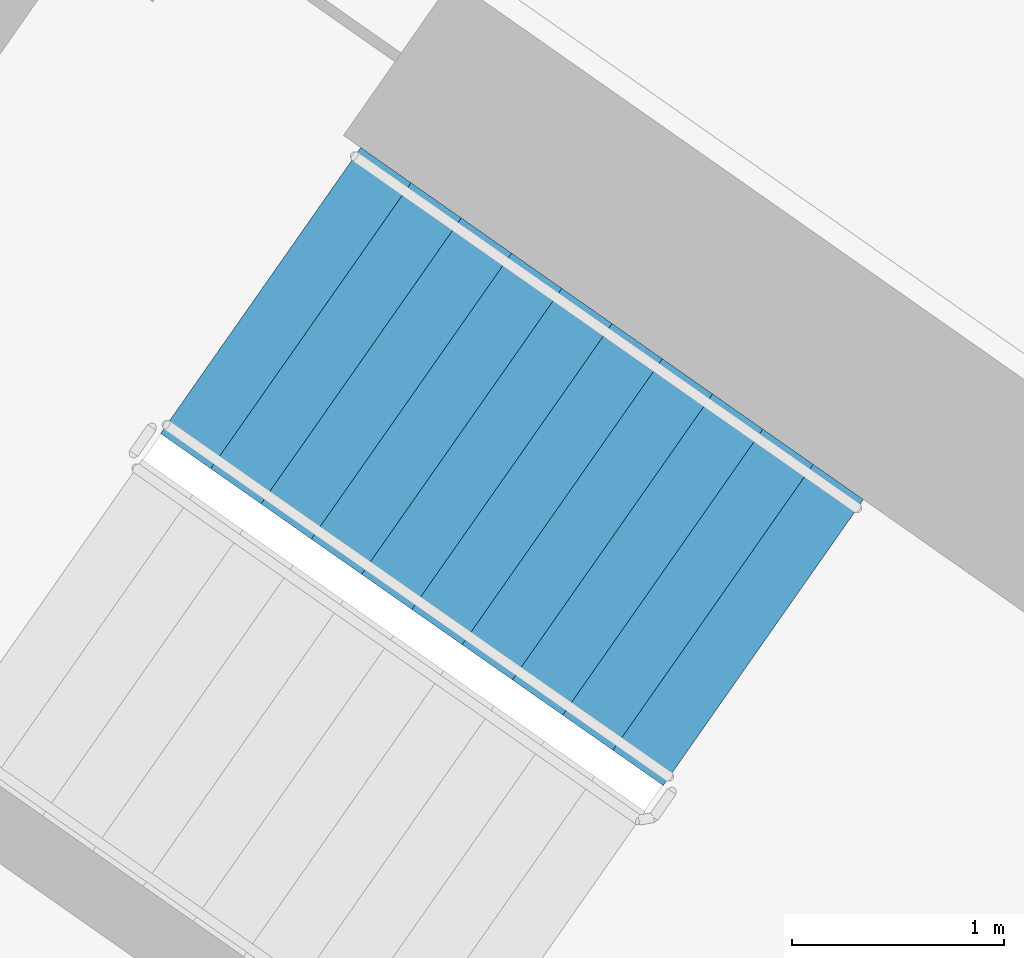
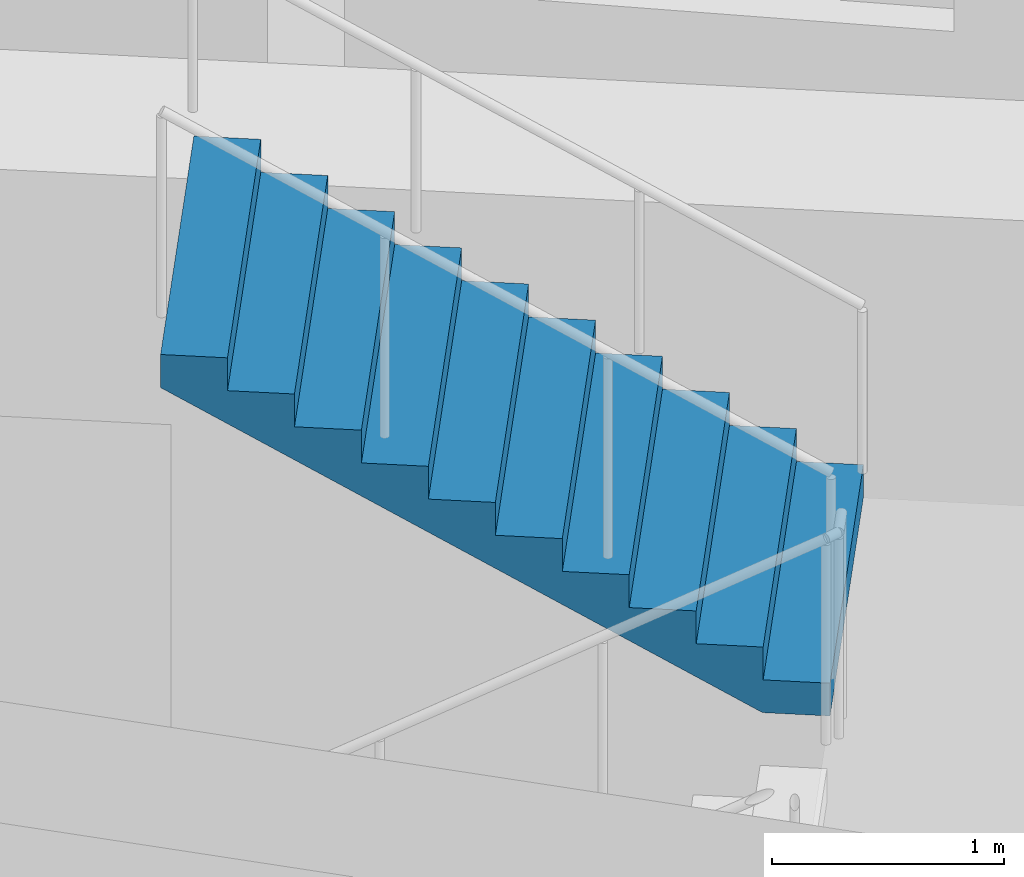
# One storey, part 13 of 31: 1 stair flight, 1 element without a shape of its own.
"""IFC4 building model written with IfcOpenShell, lengths in metres."""

from ifc_helpers import new_model, si_unit, direction, frame, origin, place, context, subcontext, project, spatial, faceted_brep, material, type_object, element, aggregate, save


model = new_model("IFC4")

# Units and contexts
model_context = context("Model", 3, precision=1e-05, world=origin(), true_north=direction((0.0, 1.0)))
body_context = subcontext(model_context, "Body", "Model", "MODEL_VIEW")
ifc_project = project(units=[si_unit("LENGTHUNIT", "METRE"), si_unit("AREAUNIT", "SQUARE_METRE"), si_unit("VOLUMEUNIT", "CUBIC_METRE"), si_unit("PLANEANGLEUNIT", "RADIAN"), si_unit("MASSUNIT", "GRAM", prefix="KILO")], contexts=[model_context])

# Site, building, storey
site_placement = place(None, origin())
site = spatial("IfcSite", under=ifc_project, at=site_placement, CompositionType="ELEMENT")
building_placement = place(site_placement, origin())
building = spatial("IfcBuilding", under=site, at=building_placement, Name="Qamariyya Broadcast Tower", CompositionType="ELEMENT")
storey_placement = place(building_placement, frame((0.0, 0.0, 86.10009765625)))
storey = spatial("IfcBuildingStorey", under=building, at=storey_placement, Name="L18", CompositionType="ELEMENT", Elevation=86.10009765625)

# Stair, stair flight
ifc_material = material(Name="Concrete C50/60", Category="concrete")
stair_type = type_object("IfcStairType", Name="Exit stair 22 risers of 173 mm", PredefinedType="HALF_TURN_STAIR", material=ifc_material)
stair_placement = place(storey_placement, origin())
stair = element("IfcStair", 1, at=stair_placement, inside=storey, type_object=stair_type, Name="L18 Stair W2", PredefinedType="HALF_TURN_STAIR")
stair_flight_type = type_object("IfcStairFlightType", Name="Exit stair flight 11 risers of 173 mm", PredefinedType="STRAIGHT", material=ifc_material)
stair_flight_placement = place(storey_placement, frame((-38.18310546875, -49.3486328125, 1.89990234375), z_axis=(0.0, 0.0, 1.0), x_axis=(-0.819152044289, 0.573576436351, 0.0)))
stair_flight = element("IfcStairFlight", 2, at=stair_flight_placement, type_object=stair_flight_type, Name="ST-W2 flight 2", NumberOfRisers=11, NumberOfTreads=10, PredefinedType="STRAIGHT", RiserHeight=0.172727273, TreadLength=0.29, context=body_context, shape_type="Brep", body=[
    faceted_brep([(0.0, 0.824951171875, 0.0), (0.0, 0.824951171875, 0.172607421875), (0.2900390625, 0.824951171875, 0.172607421875), (0.2900390625, 0.824951171875, 0.345458984375), (0.580078125, 0.824951171875, 0.345458984375), (0.580078125, 0.824951171875, 0.51806640625), (0.8701171875, 0.824951171875, 0.51806640625), (0.8701171875, 0.824951171875, 0.69091796875), (1.159912109375, 0.824951171875, 0.69091796875), (1.159912109375, 0.824951171875, 0.863525390625), (1.449951171875, 0.824951171875, 0.863525390625), (1.449951171875, 0.824951171875, 1.036376953125), (1.739990234375, 0.824951171875, 1.036376953125), (1.739990234375, 0.824951171875, 1.208984375), (2.030029296875, 0.824951171875, 1.208984375), (2.030029296875, 0.824951171875, 1.3818359375), (2.320068359375, 0.824951171875, 1.3818359375), (2.320068359375, 0.824951171875, 1.554443359375), (2.610107421875, 0.824951171875, 1.554443359375), (2.610107421875, 0.824951171875, 1.727294921875), (2.89990234375, 0.824951171875, 1.727294921875), (2.89990234375, 0.824951171875, 1.552734375), (0.29296875, 0.824951171875, 0.0), (0.29296875, -0.824951171875, 0.0), (2.89990234375, -0.824951171875, 1.552734375), (2.89990234375, -0.824951171875, 1.727294921875), (2.610107421875, -0.824951171875, 1.727294921875), (2.610107421875, -0.824951171875, 1.554443359375), (2.320068359375, -0.824951171875, 1.554443359375), (2.320068359375, -0.824951171875, 1.3818359375), (2.030029296875, -0.824951171875, 1.3818359375), (2.030029296875, -0.824951171875, 1.208984375), (1.739990234375, -0.824951171875, 1.208984375), (1.739990234375, -0.824951171875, 1.036376953125), (1.449951171875, -0.824951171875, 1.036376953125), (1.449951171875, -0.824951171875, 0.863525390625), (1.159912109375, -0.824951171875, 0.863525390625), (1.159912109375, -0.824951171875, 0.69091796875), (0.8701171875, -0.824951171875, 0.69091796875), (0.8701171875, -0.824951171875, 0.51806640625), (0.580078125, -0.824951171875, 0.51806640625), (0.580078125, -0.824951171875, 0.345458984375), (0.2900390625, -0.824951171875, 0.345458984375), (0.2900390625, -0.824951171875, 0.172607421875), (0.0, -0.824951171875, 0.172607421875), (0.0, -0.824951171875, 0.0), (0.0, 0.10009765625, 0.0), (0.0, 0.086669921875, 0.0), (0.0, 0.0732421875, 0.0), (0.0, 0.06005859375, 0.0), (0.0, 0.046630859375, 0.0), (0.0, 0.033447265625, 0.0), (0.0, 0.02001953125, 0.0), (0.0, 0.006591796875, 0.0), (0.0, -0.006591796875, 0.0), (0.0, -0.02001953125, 0.0), (0.0, -0.033447265625, 0.0), (0.0, -0.046630859375, 0.0), (0.0, -0.06005859375, 0.0), (0.0, -0.0732421875, 0.0), (0.0, -0.086669921875, 0.0), (0.0, -0.10009765625, 0.0), (0.0, -0.10009765625, 0.172607421875), (0.0, -0.086669921875, 0.172607421875), (0.0, -0.0732421875, 0.172607421875), (0.0, -0.06005859375, 0.172607421875), (0.0, -0.046630859375, 0.172607421875), (0.0, -0.033447265625, 0.172607421875), (0.0, -0.02001953125, 0.172607421875), (0.0, -0.006591796875, 0.172607421875), (0.0, 0.006591796875, 0.172607421875), (0.0, 0.02001953125, 0.172607421875), (0.0, 0.033447265625, 0.172607421875), (0.0, 0.046630859375, 0.172607421875), (0.0, 0.06005859375, 0.172607421875), (0.0, 0.0732421875, 0.172607421875), (0.0, 0.086669921875, 0.172607421875), (0.0, 0.10009765625, 0.172607421875), (0.2900390625, -0.10009765625, 0.172607421875), (0.2900390625, -0.086669921875, 0.172607421875), (0.2900390625, -0.0732421875, 0.172607421875), (0.2900390625, -0.06005859375, 0.172607421875), (0.2900390625, -0.046630859375, 0.172607421875), (0.2900390625, -0.033447265625, 0.172607421875), (0.2900390625, -0.02001953125, 0.172607421875), (0.2900390625, -0.006591796875, 0.172607421875), (0.2900390625, 0.006591796875, 0.172607421875), (0.2900390625, 0.02001953125, 0.172607421875), (0.2900390625, 0.033447265625, 0.172607421875), (0.2900390625, 0.046630859375, 0.172607421875), (0.2900390625, 0.06005859375, 0.172607421875), (0.2900390625, 0.0732421875, 0.172607421875), (0.2900390625, 0.086669921875, 0.172607421875), (0.2900390625, 0.10009765625, 0.172607421875), (0.2900390625, -0.10009765625, 0.345458984375), (0.2900390625, -0.086669921875, 0.345458984375), (0.2900390625, -0.0732421875, 0.345458984375), (0.2900390625, -0.06005859375, 0.345458984375), (0.2900390625, -0.046630859375, 0.345458984375), (0.2900390625, -0.033447265625, 0.345458984375), (0.2900390625, -0.02001953125, 0.345458984375), (0.2900390625, -0.006591796875, 0.345458984375), (0.2900390625, 0.006591796875, 0.345458984375), (0.2900390625, 0.02001953125, 0.345458984375), (0.2900390625, 0.033447265625, 0.345458984375), (0.2900390625, 0.046630859375, 0.345458984375), (0.2900390625, 0.06005859375, 0.345458984375), (0.2900390625, 0.0732421875, 0.345458984375), (0.2900390625, 0.086669921875, 0.345458984375), (0.2900390625, 0.10009765625, 0.345458984375), (0.580078125, -0.10009765625, 0.345458984375), (0.580078125, -0.086669921875, 0.345458984375), (0.580078125, -0.0732421875, 0.345458984375), (0.580078125, -0.06005859375, 0.345458984375), (0.580078125, -0.046630859375, 0.345458984375), (0.580078125, -0.033447265625, 0.345458984375), (0.580078125, -0.02001953125, 0.345458984375), (0.580078125, -0.006591796875, 0.345458984375), (0.580078125, 0.006591796875, 0.345458984375), (0.580078125, 0.02001953125, 0.345458984375), (0.580078125, 0.033447265625, 0.345458984375), (0.580078125, 0.046630859375, 0.345458984375), (0.580078125, 0.06005859375, 0.345458984375), (0.580078125, 0.0732421875, 0.345458984375), (0.580078125, 0.086669921875, 0.345458984375), (0.580078125, 0.10009765625, 0.345458984375), (0.580078125, -0.10009765625, 0.51806640625), (0.580078125, -0.086669921875, 0.51806640625), (0.580078125, -0.0732421875, 0.51806640625), (0.580078125, -0.06005859375, 0.51806640625), (0.580078125, -0.046630859375, 0.51806640625), (0.580078125, -0.033447265625, 0.51806640625), (0.580078125, -0.02001953125, 0.51806640625), (0.580078125, -0.006591796875, 0.51806640625), (0.580078125, 0.006591796875, 0.51806640625), (0.580078125, 0.02001953125, 0.51806640625), (0.580078125, 0.033447265625, 0.51806640625), (0.580078125, 0.046630859375, 0.51806640625), (0.580078125, 0.06005859375, 0.51806640625), (0.580078125, 0.0732421875, 0.51806640625), (0.580078125, 0.086669921875, 0.51806640625), (0.580078125, 0.10009765625, 0.51806640625), (0.8701171875, -0.10009765625, 0.51806640625), (0.8701171875, -0.086669921875, 0.51806640625), (0.8701171875, -0.0732421875, 0.51806640625), (0.8701171875, -0.06005859375, 0.51806640625), (0.8701171875, -0.046630859375, 0.51806640625), (0.8701171875, -0.033447265625, 0.51806640625), (0.8701171875, -0.02001953125, 0.51806640625), (0.8701171875, -0.006591796875, 0.51806640625), (0.8701171875, 0.006591796875, 0.51806640625), (0.8701171875, 0.02001953125, 0.51806640625), (0.8701171875, 0.033447265625, 0.51806640625), (0.8701171875, 0.046630859375, 0.51806640625), (0.8701171875, 0.06005859375, 0.51806640625), (0.8701171875, 0.0732421875, 0.51806640625), (0.8701171875, 0.086669921875, 0.51806640625), (0.8701171875, 0.10009765625, 0.51806640625), (0.8701171875, -0.10009765625, 0.69091796875), (0.8701171875, -0.086669921875, 0.69091796875), (0.8701171875, -0.0732421875, 0.69091796875), (0.8701171875, -0.06005859375, 0.69091796875), (0.8701171875, -0.046630859375, 0.69091796875), (0.8701171875, -0.033447265625, 0.69091796875), (0.8701171875, -0.02001953125, 0.69091796875), (0.8701171875, -0.006591796875, 0.69091796875), (0.8701171875, 0.006591796875, 0.69091796875), (0.8701171875, 0.02001953125, 0.69091796875), (0.8701171875, 0.033447265625, 0.69091796875), (0.8701171875, 0.046630859375, 0.69091796875), (0.8701171875, 0.06005859375, 0.69091796875), (0.8701171875, 0.0732421875, 0.69091796875), (0.8701171875, 0.086669921875, 0.69091796875), (0.8701171875, 0.10009765625, 0.69091796875), (1.159912109375, -0.10009765625, 0.69091796875), (1.159912109375, -0.086669921875, 0.69091796875), (1.159912109375, -0.0732421875, 0.69091796875), (1.159912109375, -0.06005859375, 0.69091796875), (1.159912109375, -0.046630859375, 0.69091796875), (1.159912109375, -0.033447265625, 0.69091796875), (1.159912109375, -0.02001953125, 0.69091796875), (1.159912109375, -0.006591796875, 0.69091796875), (1.159912109375, 0.006591796875, 0.69091796875), (1.159912109375, 0.02001953125, 0.69091796875), (1.159912109375, 0.033447265625, 0.69091796875), (1.159912109375, 0.046630859375, 0.69091796875), (1.159912109375, 0.06005859375, 0.69091796875), (1.159912109375, 0.0732421875, 0.69091796875), (1.159912109375, 0.086669921875, 0.69091796875), (1.159912109375, 0.10009765625, 0.69091796875), (1.159912109375, -0.10009765625, 0.863525390625), (1.159912109375, -0.086669921875, 0.863525390625), (1.159912109375, -0.0732421875, 0.863525390625), (1.159912109375, -0.06005859375, 0.863525390625), (1.159912109375, -0.046630859375, 0.863525390625), (1.159912109375, -0.033447265625, 0.863525390625), (1.159912109375, -0.02001953125, 0.863525390625), (1.159912109375, -0.006591796875, 0.863525390625), (1.159912109375, 0.006591796875, 0.863525390625), (1.159912109375, 0.02001953125, 0.863525390625), (1.159912109375, 0.033447265625, 0.863525390625), (1.159912109375, 0.046630859375, 0.863525390625), (1.159912109375, 0.06005859375, 0.863525390625), (1.159912109375, 0.0732421875, 0.863525390625), (1.159912109375, 0.086669921875, 0.863525390625), (1.159912109375, 0.10009765625, 0.863525390625), (1.449951171875, -0.10009765625, 0.863525390625), (1.449951171875, -0.086669921875, 0.863525390625), (1.449951171875, -0.0732421875, 0.863525390625), (1.449951171875, -0.06005859375, 0.863525390625), (1.449951171875, -0.046630859375, 0.863525390625), (1.449951171875, -0.033447265625, 0.863525390625), (1.449951171875, -0.02001953125, 0.863525390625), (1.449951171875, -0.006591796875, 0.863525390625), (1.449951171875, 0.006591796875, 0.863525390625), (1.449951171875, 0.02001953125, 0.863525390625), (1.449951171875, 0.033447265625, 0.863525390625), (1.449951171875, 0.046630859375, 0.863525390625), (1.449951171875, 0.06005859375, 0.863525390625), (1.449951171875, 0.0732421875, 0.863525390625), (1.449951171875, 0.086669921875, 0.863525390625), (1.449951171875, 0.10009765625, 0.863525390625), (1.449951171875, -0.10009765625, 1.036376953125), (1.449951171875, -0.086669921875, 1.036376953125), (1.449951171875, -0.0732421875, 1.036376953125), (1.449951171875, -0.06005859375, 1.036376953125), (1.449951171875, -0.046630859375, 1.036376953125), (1.449951171875, -0.033447265625, 1.036376953125), (1.449951171875, -0.02001953125, 1.036376953125), (1.449951171875, -0.006591796875, 1.036376953125), (1.449951171875, 0.006591796875, 1.036376953125), (1.449951171875, 0.02001953125, 1.036376953125), (1.449951171875, 0.033447265625, 1.036376953125), (1.449951171875, 0.046630859375, 1.036376953125), (1.449951171875, 0.06005859375, 1.036376953125), (1.449951171875, 0.0732421875, 1.036376953125), (1.449951171875, 0.086669921875, 1.036376953125), (1.449951171875, 0.10009765625, 1.036376953125), (1.739990234375, -0.10009765625, 1.036376953125), (1.739990234375, -0.086669921875, 1.036376953125), (1.739990234375, -0.0732421875, 1.036376953125), (1.739990234375, -0.06005859375, 1.036376953125), (1.739990234375, -0.046630859375, 1.036376953125), (1.739990234375, -0.033447265625, 1.036376953125), (1.739990234375, -0.02001953125, 1.036376953125), (1.739990234375, -0.006591796875, 1.036376953125), (1.739990234375, 0.006591796875, 1.036376953125), (1.739990234375, 0.02001953125, 1.036376953125), (1.739990234375, 0.033447265625, 1.036376953125), (1.739990234375, 0.046630859375, 1.036376953125), (1.739990234375, 0.06005859375, 1.036376953125), (1.739990234375, 0.0732421875, 1.036376953125), (1.739990234375, 0.086669921875, 1.036376953125), (1.739990234375, 0.10009765625, 1.036376953125), (1.739990234375, -0.10009765625, 1.208984375), (1.739990234375, -0.086669921875, 1.208984375), (1.739990234375, -0.0732421875, 1.208984375), (1.739990234375, -0.06005859375, 1.208984375), (1.739990234375, -0.046630859375, 1.208984375), (1.739990234375, -0.033447265625, 1.208984375), (1.739990234375, -0.02001953125, 1.208984375), (1.739990234375, -0.006591796875, 1.208984375), (1.739990234375, 0.006591796875, 1.208984375), (1.739990234375, 0.02001953125, 1.208984375), (1.739990234375, 0.033447265625, 1.208984375), (1.739990234375, 0.046630859375, 1.208984375), (1.739990234375, 0.06005859375, 1.208984375), (1.739990234375, 0.0732421875, 1.208984375), (1.739990234375, 0.086669921875, 1.208984375), (1.739990234375, 0.10009765625, 1.208984375), (2.030029296875, -0.10009765625, 1.208984375), (2.030029296875, -0.086669921875, 1.208984375), (2.030029296875, -0.0732421875, 1.208984375), (2.030029296875, -0.06005859375, 1.208984375), (2.030029296875, -0.046630859375, 1.208984375), (2.030029296875, -0.033447265625, 1.208984375), (2.030029296875, -0.02001953125, 1.208984375), (2.030029296875, -0.006591796875, 1.208984375), (2.030029296875, 0.006591796875, 1.208984375), (2.030029296875, 0.02001953125, 1.208984375), (2.030029296875, 0.033447265625, 1.208984375), (2.030029296875, 0.046630859375, 1.208984375), (2.030029296875, 0.06005859375, 1.208984375), (2.030029296875, 0.0732421875, 1.208984375), (2.030029296875, 0.086669921875, 1.208984375), (2.030029296875, 0.10009765625, 1.208984375), (2.030029296875, -0.10009765625, 1.3818359375), (2.030029296875, -0.086669921875, 1.3818359375), (2.030029296875, -0.0732421875, 1.3818359375), (2.030029296875, -0.06005859375, 1.3818359375), (2.030029296875, -0.046630859375, 1.3818359375), (2.030029296875, -0.033447265625, 1.3818359375), (2.030029296875, -0.02001953125, 1.3818359375), (2.030029296875, -0.006591796875, 1.3818359375), (2.030029296875, 0.006591796875, 1.3818359375), (2.030029296875, 0.02001953125, 1.3818359375), (2.030029296875, 0.033447265625, 1.3818359375), (2.030029296875, 0.046630859375, 1.3818359375), (2.030029296875, 0.06005859375, 1.3818359375), (2.030029296875, 0.0732421875, 1.3818359375), (2.030029296875, 0.086669921875, 1.3818359375), (2.030029296875, 0.10009765625, 1.3818359375), (2.320068359375, -0.10009765625, 1.3818359375), (2.320068359375, -0.086669921875, 1.3818359375), (2.320068359375, -0.0732421875, 1.3818359375), (2.320068359375, -0.06005859375, 1.3818359375), (2.320068359375, -0.046630859375, 1.3818359375), (2.320068359375, -0.033447265625, 1.3818359375), (2.320068359375, -0.02001953125, 1.3818359375), (2.320068359375, -0.006591796875, 1.3818359375), (2.320068359375, 0.006591796875, 1.3818359375), (2.320068359375, 0.02001953125, 1.3818359375), (2.320068359375, 0.033447265625, 1.3818359375), (2.320068359375, 0.046630859375, 1.3818359375), (2.320068359375, 0.06005859375, 1.3818359375), (2.320068359375, 0.0732421875, 1.3818359375), (2.320068359375, 0.086669921875, 1.3818359375), (2.320068359375, 0.10009765625, 1.3818359375), (2.320068359375, -0.10009765625, 1.554443359375), (2.320068359375, -0.086669921875, 1.554443359375), (2.320068359375, -0.0732421875, 1.554443359375), (2.320068359375, -0.06005859375, 1.554443359375), (2.320068359375, -0.046630859375, 1.554443359375), (2.320068359375, -0.033447265625, 1.554443359375), (2.320068359375, -0.02001953125, 1.554443359375), (2.320068359375, -0.006591796875, 1.554443359375), (2.320068359375, 0.006591796875, 1.554443359375), (2.320068359375, 0.02001953125, 1.554443359375), (2.320068359375, 0.033447265625, 1.554443359375), (2.320068359375, 0.046630859375, 1.554443359375), (2.320068359375, 0.06005859375, 1.554443359375), (2.320068359375, 0.0732421875, 1.554443359375), (2.320068359375, 0.086669921875, 1.554443359375), (2.320068359375, 0.10009765625, 1.554443359375), (2.610107421875, -0.10009765625, 1.554443359375), (2.610107421875, -0.086669921875, 1.554443359375), (2.610107421875, -0.0732421875, 1.554443359375), (2.610107421875, -0.06005859375, 1.554443359375), (2.610107421875, -0.046630859375, 1.554443359375), (2.610107421875, -0.033447265625, 1.554443359375), (2.610107421875, -0.02001953125, 1.554443359375), (2.610107421875, -0.006591796875, 1.554443359375), (2.610107421875, 0.006591796875, 1.554443359375), (2.610107421875, 0.02001953125, 1.554443359375), (2.610107421875, 0.033447265625, 1.554443359375), (2.610107421875, 0.046630859375, 1.554443359375), (2.610107421875, 0.06005859375, 1.554443359375), (2.610107421875, 0.0732421875, 1.554443359375), (2.610107421875, 0.086669921875, 1.554443359375), (2.610107421875, 0.10009765625, 1.554443359375), (2.610107421875, -0.10009765625, 1.727294921875), (2.610107421875, -0.086669921875, 1.727294921875), (2.610107421875, -0.0732421875, 1.727294921875), (2.610107421875, -0.06005859375, 1.727294921875), (2.610107421875, -0.046630859375, 1.727294921875), (2.610107421875, -0.033447265625, 1.727294921875), (2.610107421875, -0.02001953125, 1.727294921875), (2.610107421875, -0.006591796875, 1.727294921875), (2.610107421875, 0.006591796875, 1.727294921875), (2.610107421875, 0.02001953125, 1.727294921875), (2.610107421875, 0.033447265625, 1.727294921875), (2.610107421875, 0.046630859375, 1.727294921875), (2.610107421875, 0.06005859375, 1.727294921875), (2.610107421875, 0.0732421875, 1.727294921875), (2.610107421875, 0.086669921875, 1.727294921875), (2.610107421875, 0.10009765625, 1.727294921875), (2.89990234375, -0.10009765625, 1.727294921875), (2.89990234375, -0.086669921875, 1.727294921875), (2.89990234375, -0.0732421875, 1.727294921875), (2.89990234375, -0.06005859375, 1.727294921875), (2.89990234375, -0.046630859375, 1.727294921875), (2.89990234375, -0.033447265625, 1.727294921875), (2.89990234375, -0.02001953125, 1.727294921875), (2.89990234375, -0.006591796875, 1.727294921875), (2.89990234375, 0.006591796875, 1.727294921875), (2.89990234375, 0.02001953125, 1.727294921875), (2.89990234375, 0.033447265625, 1.727294921875), (2.89990234375, 0.046630859375, 1.727294921875), (2.89990234375, 0.06005859375, 1.727294921875), (2.89990234375, 0.0732421875, 1.727294921875), (2.89990234375, 0.086669921875, 1.727294921875), (2.89990234375, 0.10009765625, 1.727294921875), (2.89990234375, -0.10009765625, 1.552734375), (2.89990234375, -0.086669921875, 1.552734375), (2.89990234375, -0.0732421875, 1.552734375), (2.89990234375, -0.06005859375, 1.552734375), (2.89990234375, -0.046630859375, 1.552734375), (2.89990234375, -0.033447265625, 1.552734375), (2.89990234375, -0.02001953125, 1.552734375), (2.89990234375, -0.006591796875, 1.552734375), (2.89990234375, 0.006591796875, 1.552734375), (2.89990234375, 0.02001953125, 1.552734375), (2.89990234375, 0.033447265625, 1.552734375), (2.89990234375, 0.046630859375, 1.552734375), (2.89990234375, 0.06005859375, 1.552734375), (2.89990234375, 0.0732421875, 1.552734375), (2.89990234375, 0.086669921875, 1.552734375), (2.89990234375, 0.10009765625, 1.552734375), (0.29296875, -0.10009765625, 0.0), (0.29296875, -0.086669921875, 0.0), (0.29296875, -0.0732421875, 0.0), (0.29296875, -0.06005859375, 0.0), (0.29296875, -0.046630859375, 0.0), (0.29296875, -0.033447265625, 0.0), (0.29296875, -0.02001953125, 0.0), (0.29296875, -0.006591796875, 0.0), (0.29296875, 0.006591796875, 0.0), (0.29296875, 0.02001953125, 0.0), (0.29296875, 0.033447265625, 0.0), (0.29296875, 0.046630859375, 0.0), (0.29296875, 0.06005859375, 0.0), (0.29296875, 0.0732421875, 0.0), (0.29296875, 0.086669921875, 0.0), (0.29296875, 0.10009765625, 0.0)], [[[0, 1, 2, 3, 4, 5, 6, 7, 8, 9, 10, 11, 12, 13, 14, 15, 16, 17, 18, 19, 20, 21, 22]], [[23, 24, 25, 26, 27, 28, 29, 30, 31, 32, 33, 34, 35, 36, 37, 38, 39, 40, 41, 42, 43, 44, 45]], [[0, 46, 47, 48, 49, 50, 51, 52, 53, 54, 55, 56, 57, 58, 59, 60, 61, 45, 44, 62, 63, 64, 65, 66, 67, 68, 69, 70, 71, 72, 73, 74, 75, 76, 77, 1]], [[1, 77, 76, 75, 74, 73, 72, 71, 70, 69, 68, 67, 66, 65, 64, 63, 62, 44, 43, 78, 79, 80, 81, 82, 83, 84, 85, 86, 87, 88, 89, 90, 91, 92, 93, 2]], [[2, 93, 92, 91, 90, 89, 88, 87, 86, 85, 84, 83, 82, 81, 80, 79, 78, 43, 42, 94, 95, 96, 97, 98, 99, 100, 101, 102, 103, 104, 105, 106, 107, 108, 109, 3]], [[3, 109, 108, 107, 106, 105, 104, 103, 102, 101, 100, 99, 98, 97, 96, 95, 94, 42, 41, 110, 111, 112, 113, 114, 115, 116, 117, 118, 119, 120, 121, 122, 123, 124, 125, 4]], [[4, 125, 124, 123, 122, 121, 120, 119, 118, 117, 116, 115, 114, 113, 112, 111, 110, 41, 40, 126, 127, 128, 129, 130, 131, 132, 133, 134, 135, 136, 137, 138, 139, 140, 141, 5]], [[5, 141, 140, 139, 138, 137, 136, 135, 134, 133, 132, 131, 130, 129, 128, 127, 126, 40, 39, 142, 143, 144, 145, 146, 147, 148, 149, 150, 151, 152, 153, 154, 155, 156, 157, 6]], [[6, 157, 156, 155, 154, 153, 152, 151, 150, 149, 148, 147, 146, 145, 144, 143, 142, 39, 38, 158, 159, 160, 161, 162, 163, 164, 165, 166, 167, 168, 169, 170, 171, 172, 173, 7]], [[7, 173, 172, 171, 170, 169, 168, 167, 166, 165, 164, 163, 162, 161, 160, 159, 158, 38, 37, 174, 175, 176, 177, 178, 179, 180, 181, 182, 183, 184, 185, 186, 187, 188, 189, 8]], [[8, 189, 188, 187, 186, 185, 184, 183, 182, 181, 180, 179, 178, 177, 176, 175, 174, 37, 36, 190, 191, 192, 193, 194, 195, 196, 197, 198, 199, 200, 201, 202, 203, 204, 205, 9]], [[9, 205, 204, 203, 202, 201, 200, 199, 198, 197, 196, 195, 194, 193, 192, 191, 190, 36, 35, 206, 207, 208, 209, 210, 211, 212, 213, 214, 215, 216, 217, 218, 219, 220, 221, 10]], [[10, 221, 220, 219, 218, 217, 216, 215, 214, 213, 212, 211, 210, 209, 208, 207, 206, 35, 34, 222, 223, 224, 225, 226, 227, 228, 229, 230, 231, 232, 233, 234, 235, 236, 237, 11]], [[11, 237, 236, 235, 234, 233, 232, 231, 230, 229, 228, 227, 226, 225, 224, 223, 222, 34, 33, 238, 239, 240, 241, 242, 243, 244, 245, 246, 247, 248, 249, 250, 251, 252, 253, 12]], [[12, 253, 252, 251, 250, 249, 248, 247, 246, 245, 244, 243, 242, 241, 240, 239, 238, 33, 32, 254, 255, 256, 257, 258, 259, 260, 261, 262, 263, 264, 265, 266, 267, 268, 269, 13]], [[13, 269, 268, 267, 266, 265, 264, 263, 262, 261, 260, 259, 258, 257, 256, 255, 254, 32, 31, 270, 271, 272, 273, 274, 275, 276, 277, 278, 279, 280, 281, 282, 283, 284, 285, 14]], [[14, 285, 284, 283, 282, 281, 280, 279, 278, 277, 276, 275, 274, 273, 272, 271, 270, 31, 30, 286, 287, 288, 289, 290, 291, 292, 293, 294, 295, 296, 297, 298, 299, 300, 301, 15]], [[15, 301, 300, 299, 298, 297, 296, 295, 294, 293, 292, 291, 290, 289, 288, 287, 286, 30, 29, 302, 303, 304, 305, 306, 307, 308, 309, 310, 311, 312, 313, 314, 315, 316, 317, 16]], [[16, 317, 316, 315, 314, 313, 312, 311, 310, 309, 308, 307, 306, 305, 304, 303, 302, 29, 28, 318, 319, 320, 321, 322, 323, 324, 325, 326, 327, 328, 329, 330, 331, 332, 333, 17]], [[17, 333, 332, 331, 330, 329, 328, 327, 326, 325, 324, 323, 322, 321, 320, 319, 318, 28, 27, 334, 335, 336, 337, 338, 339, 340, 341, 342, 343, 344, 345, 346, 347, 348, 349, 18]], [[18, 349, 348, 347, 346, 345, 344, 343, 342, 341, 340, 339, 338, 337, 336, 335, 334, 27, 26, 350, 351, 352, 353, 354, 355, 356, 357, 358, 359, 360, 361, 362, 363, 364, 365, 19]], [[19, 365, 364, 363, 362, 361, 360, 359, 358, 357, 356, 355, 354, 353, 352, 351, 350, 26, 25, 366, 367, 368, 369, 370, 371, 372, 373, 374, 375, 376, 377, 378, 379, 380, 381, 20]], [[20, 381, 380, 379, 378, 377, 376, 375, 374, 373, 372, 371, 370, 369, 368, 367, 366, 25, 24, 382, 383, 384, 385, 386, 387, 388, 389, 390, 391, 392, 393, 394, 395, 396, 397, 21]], [[21, 397, 396, 395, 394, 393, 392, 391, 390, 389, 388, 387, 386, 385, 384, 383, 382, 24, 23, 398, 399, 400, 401, 402, 403, 404, 405, 406, 407, 408, 409, 410, 411, 412, 413, 22]], [[22, 413, 412, 411, 410, 409, 408, 407, 406, 405, 404, 403, 402, 401, 400, 399, 398, 23, 45, 61, 60, 59, 58, 57, 56, 55, 54, 53, 52, 51, 50, 49, 48, 47, 46, 0]]]),
])
aggregate(stair, [stair_flight])

save(model, "model.ifc")
